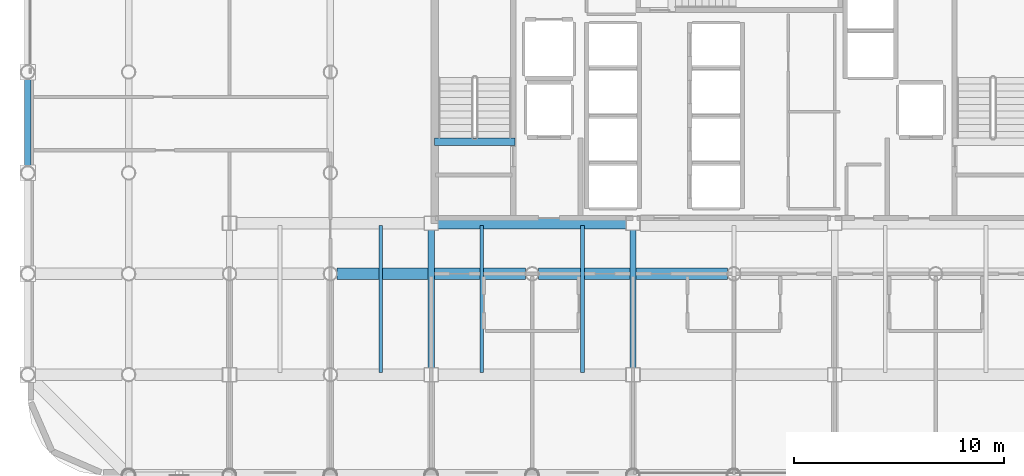
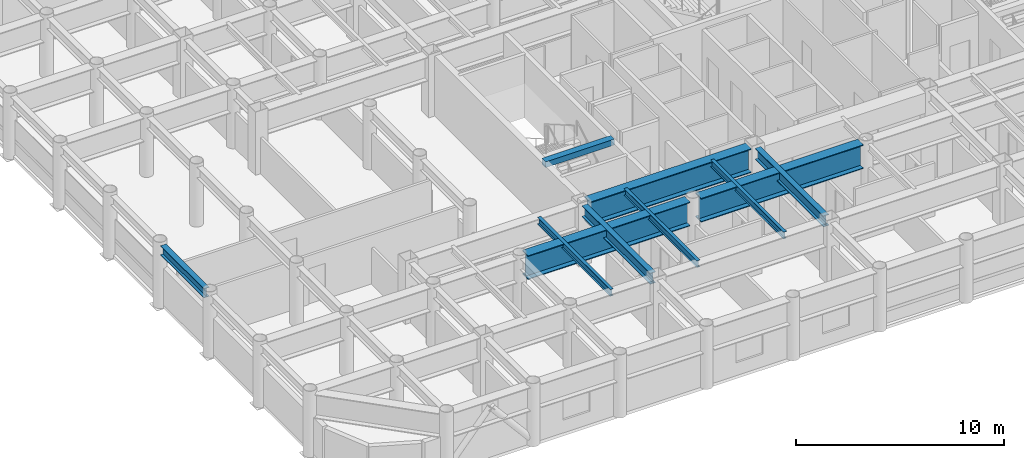
# One storey, part 3 of 23: 10 beams.
"""IFC4 building model written with IfcOpenShell, lengths in metres."""

from ifc_helpers import new_model, si_unit, direction, frame, origin, origin_2d, place, context, subcontext, project, spatial, rectangle, i_section, extrude, material, material_profile, profile_set, type_object, element, save


model = new_model("IFC4")

# Units and contexts
model_context = context("Model", 3, precision=1e-05, world=origin(), true_north=direction((0.0, 1.0)))
body_context = subcontext(model_context, "Body", "Model", "MODEL_VIEW")
ifc_project = project(units=[si_unit("LENGTHUNIT", "METRE"), si_unit("AREAUNIT", "SQUARE_METRE"), si_unit("VOLUMEUNIT", "CUBIC_METRE"), si_unit("PLANEANGLEUNIT", "RADIAN"), si_unit("MASSUNIT", "GRAM", prefix="KILO")], contexts=[model_context])

# Site, building, storey
site_placement = place(None, origin())
site = spatial("IfcSite", under=ifc_project, at=site_placement, CompositionType="ELEMENT")
building_placement = place(site_placement, origin())
building = spatial("IfcBuilding", under=site, at=building_placement, Name="Kallvorn Hotel Tower", CompositionType="ELEMENT")
storey_placement = place(building_placement, frame((0.0, 0.0, 124.800048828125)))
storey = spatial("IfcBuildingStorey", under=building, at=storey_placement, Name="L30", CompositionType="ELEMENT", Elevation=124.800048828125)

# Beams
ifc_material_1 = material(Name="Structural steel S355JR", Category="steel")
ifc_material_profile_1 = material_profile(ifc_material_1, i_section(OverallWidth=0.300048828125, OverallDepth=0.550048828125, WebThickness=0.014892578125, FlangeThickness=0.029052734375, at=origin_2d()), Name="HE 550 B")
ifc_profile_set_1 = profile_set([ifc_material_profile_1], Name="Structural steel S355JR")
beam_type_1 = type_object("IfcBeamType", Name="BM_HE550B", PredefinedType="SPANDREL", material=ifc_profile_set_1)
beam_1_placement = place(storey_placement, frame((-33.60009765625, -4.47998046875, 3.244873046875), z_axis=(0.0, 1.0, 0.0), x_axis=(-1.0, 0.0, 0.0)))
element("IfcBeam", 1, at=beam_1_placement, inside=storey, type_object=beam_type_1, Name="L31 Perimeter Spandrel 176", PredefinedType="SPANDREL", context=body_context, shape_type="SweptSolid", body=[
    extrude(i_section(OverallWidth=0.300048828125, OverallDepth=0.550048828125, WebThickness=0.014892578125, FlangeThickness=0.029052734375, at=origin_2d()), origin(), (0.0, 0.0, 1.0), 4.159912109375),
])
ifc_material_2 = material(Name="Structural steel S355JR", Category="steel")
ifc_material_profile_2 = material_profile(ifc_material_2, i_section(OverallWidth=0.300048828125, OverallDepth=0.64990234375, WebThickness=0.01611328125, FlangeThickness=0.031005859375, at=origin_2d()), Name="HE 650 B")
ifc_profile_set_2 = profile_set([ifc_material_profile_2], Name="Structural steel S355JR")
beam_type_2 = type_object("IfcBeamType", Name="BM_HE650B", PredefinedType="BEAM", material=ifc_profile_set_2)
for number, where, z_axis, x_axis, name in (
    (2, (-14.39990234375, -14.074951171875, 3.195068359375), (0.0, 1.0, 0.0), (-1.0, 0.0, 0.0), "L31 Primary Y-Girder 99"),
    (3, (-4.800048828125, -14.074951171875, 3.195068359375), (0.0, 1.0, 0.0), (-1.0, 0.0, 0.0), "L31 Primary Y-Girder 107"),
):
    element("IfcBeam", number, at=place(storey_placement, frame(where, z_axis=z_axis, x_axis=x_axis)), inside=storey, type_object=beam_type_2, Name=name, PredefinedType="BEAM", context=body_context, shape_type="SweptSolid", body=[
        extrude(i_section(OverallWidth=0.300048828125, OverallDepth=0.64990234375, WebThickness=0.01611328125, FlangeThickness=0.031005859375, at=origin_2d()), origin(), (0.0, 0.0, 1.0), 6.550048828125),
    ])
ifc_material_3 = material(Name="Structural steel S355JR", Category="steel")
ifc_material_profile_3 = material_profile(ifc_material_3, i_section(OverallWidth=0.179931640625, OverallDepth=0.39990234375, WebThickness=0.008544921875, FlangeThickness=0.013427734375, at=origin_2d()), Name="IPE 400")
ifc_profile_set_3 = profile_set([ifc_material_profile_3], Name="Structural steel S355JR")
beam_type_3 = type_object("IfcBeamType", Name="BM_IPE400", PredefinedType="JOIST", material=ifc_profile_set_3)
for number, where, z_axis, x_axis, name in (
    (4, (-16.800048828125, -14.300048828125, 3.320068359375), (0.0, 1.0, 0.0), (-1.0, 0.0, 0.0), "L31 Secondary Composite Joist 194"),
    (5, (-12.0, -14.300048828125, 3.320068359375), (0.0, 1.0, 0.0), (-1.0, 0.0, 0.0), "L31 Secondary Composite Joist 196"),
    (6, (-7.199951171875, -14.300048828125, 3.320068359375), (0.0, 1.0, 0.0), (-1.0, 0.0, 0.0), "L31 Secondary Composite Joist 198"),
):
    element("IfcBeam", number, at=place(storey_placement, frame(where, z_axis=z_axis, x_axis=x_axis)), inside=storey, type_object=beam_type_3, Name=name, PredefinedType="JOIST", context=body_context, shape_type="SweptSolid", body=[
        extrude(i_section(OverallWidth=0.179931640625, OverallDepth=0.39990234375, WebThickness=0.008544921875, FlangeThickness=0.013427734375, at=origin_2d()), origin(), (0.0, 0.0, 1.0), 7.0),
    ])
ifc_material_4 = material(Name="Structural steel S355JR", Category="steel")
ifc_material_profile_4 = material_profile(ifc_material_4, i_section(OverallWidth=0.550048828125, OverallDepth=1.39990234375, WebThickness=0.02490234375, FlangeThickness=0.044921875, at=origin_2d()), Name="PG 1400x550x25x45")
ifc_profile_set_4 = profile_set([ifc_material_profile_4], Name="Structural steel S355JR")
beam_type_4 = type_object("IfcBeamType", Name="BM_PG_1400", PredefinedType="BEAM", material=ifc_profile_set_4)
for number, where, z_axis, x_axis, name in (
    (7, (-18.89501953125, -9.60009765625, 2.820068359375), (1.0, 0.0, 0.0), (0.0, 1.0, 0.0), "L31 Primary X-Girder 26"),
    (8, (-9.294921875, -9.60009765625, 2.820068359375), (1.0, 0.0, 0.0), (0.0, 1.0, 0.0), "L31 Primary X-Girder 27"),
):
    element("IfcBeam", number, at=place(storey_placement, frame(where, z_axis=z_axis, x_axis=x_axis)), inside=storey, type_object=beam_type_4, Name=name, PredefinedType="BEAM", context=body_context, shape_type="SweptSolid", body=[
        extrude(i_section(OverallWidth=0.550048828125, OverallDepth=1.39990234375, WebThickness=0.02490234375, FlangeThickness=0.044921875, at=origin_2d()), origin(), (0.0, 0.0, 1.0), 8.989990234375),
    ])
beam_2_placement = place(storey_placement, frame((-14.074951171875, -7.199951171875, 2.820068359375), z_axis=(1.0, 0.0, 0.0), x_axis=(0.0, 1.0, 0.0)))
element("IfcBeam", 9, at=beam_2_placement, inside=storey, type_object=beam_type_4, Name="L31 Primary X-Girder 33", PredefinedType="BEAM", context=body_context, shape_type="SweptSolid", body=[
    extrude(i_section(OverallWidth=0.550048828125, OverallDepth=1.39990234375, WebThickness=0.02490234375, FlangeThickness=0.044921875, at=origin_2d()), origin(), (0.0, 0.0, 1.0), 8.949951171875),
])
ifc_material_5 = material(Name="Concrete C50/60", Category="concrete")
ifc_material_profile_5 = material_profile(ifc_material_5, rectangle(XDim=0.360107421875, YDim=0.340087890625, at=origin_2d()), Name="RC 360x340")
ifc_profile_set_5 = profile_set([ifc_material_profile_5], Name="Concrete C50/60")
beam_type_5 = type_object("IfcBeamType", Name="BM_RC_400x360", PredefinedType="BEAM", material=ifc_profile_set_5)
beam_3_placement = place(storey_placement, frame((-10.419921875, -3.31005859375, 3.349853515625), z_axis=(-1.0, 0.0, 0.0), x_axis=(0.0, -1.0, 0.0)))
element("IfcBeam", 10, at=beam_3_placement, inside=storey, type_object=beam_type_5, Name="L31 Stair ST1 Arrival Trimmer Beam", PredefinedType="BEAM", context=body_context, shape_type="SweptSolid", body=[
    extrude(rectangle(XDim=0.360107421875, YDim=0.340087890625, at=origin_2d()), origin(), (0.0, 0.0, 1.0), 3.820068359375),
])

save(model, "model.ifc")
